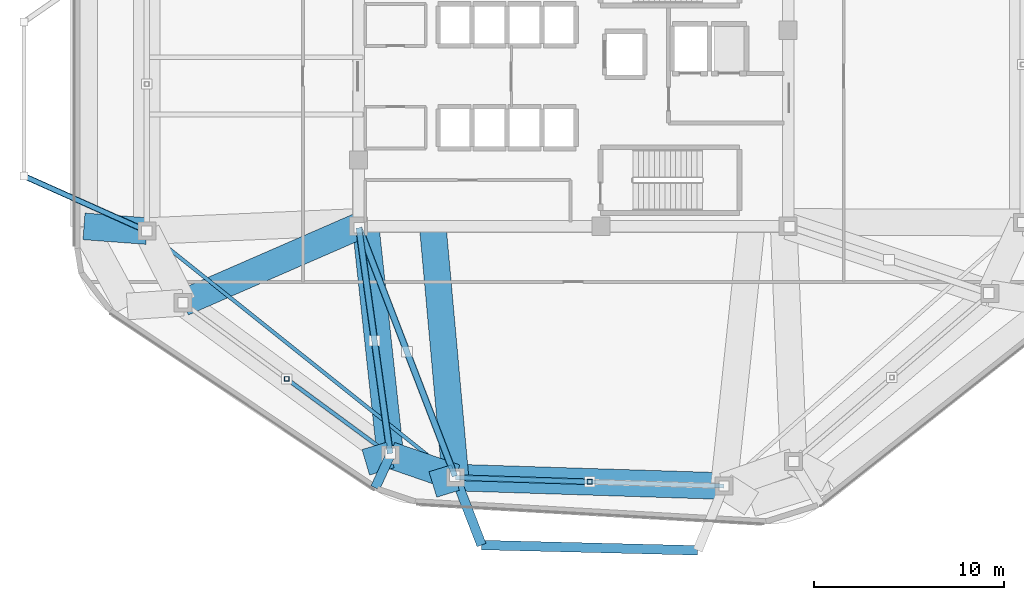
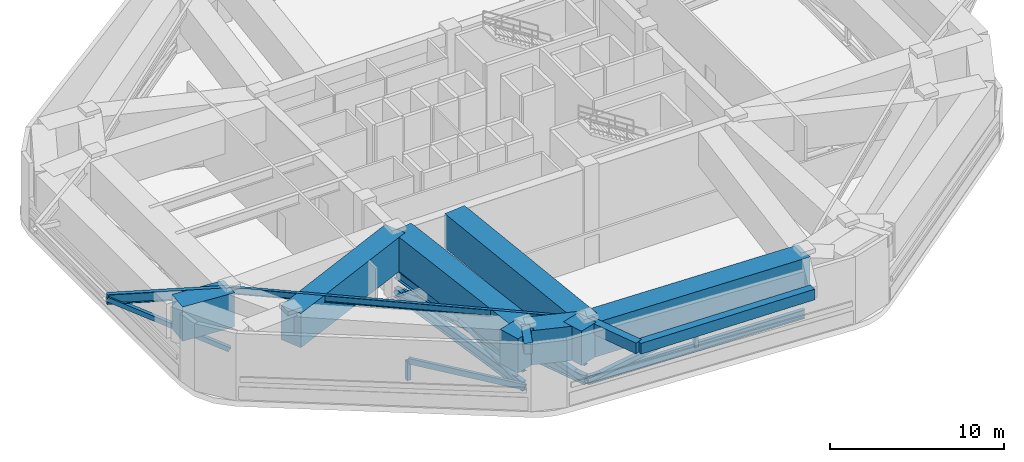
# One storey, part 2 of 13: 14 members, 13 beams.
"""IFC4 building model written with IfcOpenShell, lengths in metres."""

from ifc_helpers import new_model, si_unit, direction, frame, origin, origin_2d, place, context, subcontext, project, spatial, rectangle, hollow_rectangle, hollow_circle, i_section, extrude, material, material_profile, profile_set, type_object, element, save


model = new_model("IFC4")

# Units and contexts
model_context = context("Model", 3, precision=1e-05, world=origin(), true_north=direction((0.0, 1.0)))
body_context = subcontext(model_context, "Body", "Model", "MODEL_VIEW")
ifc_project = project(units=[si_unit("LENGTHUNIT", "METRE"), si_unit("AREAUNIT", "SQUARE_METRE"), si_unit("VOLUMEUNIT", "CUBIC_METRE"), si_unit("PLANEANGLEUNIT", "RADIAN"), si_unit("MASSUNIT", "GRAM", prefix="KILO")], contexts=[model_context])

# Site, building, storey
site_placement = place(None, origin())
site = spatial("IfcSite", under=ifc_project, at=site_placement, CompositionType="ELEMENT")
building_placement = place(site_placement, origin())
building = spatial("IfcBuilding", under=site, at=building_placement, Name="Zulverin Broadcast Headquarters", CompositionType="ELEMENT")
storey_placement = place(building_placement, frame((0.0, 0.0, 220.0)))
storey = spatial("IfcBuildingStorey", under=building, at=storey_placement, Name="L56", CompositionType="ELEMENT", Elevation=220.0)

# Beams
ifc_material_1 = material(Name="Concrete C40/50", Category="concrete")
ifc_material_profile_1 = material_profile(ifc_material_1, rectangle(XDim=0.5, YDim=0.75, at=origin_2d()), Name="Concrete C40/50", Category="concrete")
ifc_profile_set_1 = profile_set([ifc_material_profile_1], Name="Concrete C40/50")
beam_type_1 = type_object("IfcBeamType", Name="BM-RC-500x750", PredefinedType="BEAM", material=ifc_profile_set_1)
beam_1_placement = place(storey_placement, frame((27.38720703125, 5.309814453125, 4.3349609375), z_axis=(-0.417275843889, -0.908779879897, 0.0), x_axis=(0.908779879897, -0.417275843889, 0.0)))
element("IfcBeam", 1, at=beam_1_placement, inside=storey, type_object=beam_type_1, Name="L57 Plate Overhang Back-Spanned Beam OVR-16", PredefinedType="BEAM", context=body_context, shape_type="SweptSolid", body=[
    extrude(rectangle(XDim=0.5, YDim=0.75, at=origin_2d()), origin(), (0.0, 0.0, 1.0), 1.89453125),
])
beam_2_placement = place(storey_placement, frame((30.80859375, 4.12744140625, 4.3349609375), z_axis=(0.360687670045, -0.93268665943, 0.0), x_axis=(0.93268665943, 0.360687670045, 0.0)))
element("IfcBeam", 2, at=beam_2_placement, inside=storey, type_object=beam_type_1, Name="L57 Balcony Column-Framed Cantilever BAL_S-1", PredefinedType="BEAM", context=body_context, shape_type="SweptSolid", body=[
    extrude(rectangle(XDim=0.5, YDim=0.75, at=origin_2d()), origin(), (0.0, 0.0, 1.0), 3.800048828125),
])
beam_3_placement = place(storey_placement, frame((32.17919921875, 0.583251953125, 4.3349609375), z_axis=(0.999697465387, -0.024596294393, 0.0), x_axis=(0.024596294393, 0.999697465387, 0.0)))
element("IfcBeam", 3, at=beam_3_placement, inside=storey, type_object=beam_type_1, Name="L57 Balcony Outer Edge Trimmer Beam BAL_S", PredefinedType="BEAM", context=body_context, shape_type="SweptSolid", body=[
    extrude(rectangle(XDim=0.5, YDim=0.75, at=origin_2d()), origin(), (0.0, 0.0, 1.0), 11.355224609375),
])
ifc_material_2 = material(Name="Concrete C60/75", Category="concrete")
ifc_material_profile_2 = material_profile(ifc_material_2, rectangle(XDim=1.39990234375, YDim=2.39990234375, at=origin_2d()), Name="Concrete C60/75", Category="concrete")
ifc_profile_set_2 = profile_set([ifc_material_profile_2], Name="Concrete C60/75")
beam_type_2 = type_object("IfcBeamType", Name="BM-TG-1400x2400", PredefinedType="USERDEFINED", material=ifc_profile_set_2)
beam_4_placement = place(storey_placement, frame((30.80859375, 4.12744140625, 3.510009765625), z_axis=(0.999497363437, -0.031702058031, 0.0), x_axis=(0.031702058031, 0.999497363437, 0.0)))
element("IfcBeam", 4, at=beam_4_placement, inside=storey, type_object=beam_type_2, Name="L56 Perimeter Transfer Ring Girder SP-01", ObjectType="TRANSFER GIRDER", PredefinedType="USERDEFINED", context=body_context, shape_type="SweptSolid", body=[
    extrude(rectangle(XDim=1.39990234375, YDim=2.39990234375, at=origin_2d()), origin(), (0.0, 0.0, 1.0), 14.1083984375),
])
beam_5_placement = place(storey_placement, frame((27.38720703125, 5.309814453125, 3.510009765625), z_axis=(0.945152732867, -0.326628705956, 0.0), x_axis=(0.326628705956, 0.945152732867, 0.0)))
element("IfcBeam", 5, at=beam_5_placement, inside=storey, type_object=beam_type_2, Name="L56 Perimeter Transfer Ring Girder SP-16", ObjectType="TRANSFER GIRDER", PredefinedType="USERDEFINED", context=body_context, shape_type="SweptSolid", body=[
    extrude(rectangle(XDim=1.39990234375, YDim=2.39990234375, at=origin_2d()), origin(), (0.0, 0.0, 1.0), 3.619873046875),
])
beam_6_placement = place(storey_placement, frame((29.6220703125, 17.27490234375, 3.510009765625), z_axis=(0.089882060875, -0.995952416099, 0.0), x_axis=(0.995952416099, 0.089882060875, 0.0)))
element("IfcBeam", 6, at=beam_6_placement, inside=storey, type_object=beam_type_2, Name="L57 Inner Transfer Back-Span Girder TGI-01", ObjectType="TRANSFER GIRDER", PredefinedType="USERDEFINED", context=body_context, shape_type="SweptSolid", body=[
    extrude(rectangle(XDim=1.39990234375, YDim=2.39990234375, at=origin_2d()), origin(), (0.0, 0.0, 1.0), 13.200927734375),
])
beam_7_placement = place(storey_placement, frame((30.80859375, 4.12744140625, 3.510009765625), z_axis=(-0.956076262562, -0.293118031115, 0.0), x_axis=(0.293118031115, -0.956076262562, 0.0)))
element("IfcBeam", 7, at=beam_7_placement, inside=storey, type_object=beam_type_2, Name="L57 Column-Framed Step Cantilever Girder TGO-01", ObjectType="TRANSFER GIRDER", PredefinedType="USERDEFINED", context=body_context, shape_type="SweptSolid", body=[
    extrude(rectangle(XDim=1.39990234375, YDim=2.39990234375, at=origin_2d()), origin(), (0.0, 0.0, 1.0), 1.240966796875),
])
beam_8_placement = place(storey_placement, frame((14.60009765625, 17.072021484375, 3.510009765625), z_axis=(-0.997220042214, 0.074513001601, 0.0), x_axis=(-0.074513001601, -0.997220042214, 0.0)))
element("IfcBeam", 8, at=beam_8_placement, inside=storey, type_object=beam_type_2, Name="L57 Column-Framed Step Cantilever Girder TGO-14", ObjectType="TRANSFER GIRDER", PredefinedType="USERDEFINED", context=body_context, shape_type="SweptSolid", body=[
    extrude(rectangle(XDim=1.39990234375, YDim=2.39990234375, at=origin_2d()), origin(), (0.0, 0.0, 1.0), 3.309326171875),
])
beam_9_placement = place(storey_placement, frame((25.72509765625, 17.324951171875, 3.510009765625), z_axis=(-0.916724690104, -0.39951951461, 0.0), x_axis=(0.39951951461, -0.916724690104, 0.0)))
element("IfcBeam", 9, at=beam_9_placement, inside=storey, type_object=beam_type_2, Name="L57 Inner Transfer Back-Span Girder TGI-15", ObjectType="TRANSFER GIRDER", PredefinedType="USERDEFINED", context=body_context, shape_type="SweptSolid", body=[
    extrude(rectangle(XDim=1.39990234375, YDim=2.39990234375, at=origin_2d()), origin(), (0.0, 0.0, 1.0), 10.05712890625),
])
beam_10_placement = place(storey_placement, frame((26.098876953125, 17.27490234375, 3.510009765625), z_axis=(0.107055304858, -0.994253067233, 0.0), x_axis=(0.994253067233, 0.107055304858, 0.0)))
element("IfcBeam", 10, at=beam_10_placement, inside=storey, type_object=beam_type_2, Name="L57 Inner Transfer Back-Span Girder TGI-16", ObjectType="TRANSFER GIRDER", PredefinedType="USERDEFINED", context=body_context, shape_type="SweptSolid", body=[
    extrude(rectangle(XDim=1.39990234375, YDim=2.39990234375, at=origin_2d()), origin(), (0.0, 0.0, 1.0), 12.0341796875),
])
beam_11_placement = place(storey_placement, frame((27.38720703125, 5.309814453125, 3.510009765625), z_axis=(-0.958924509712, -0.283661390877, 0.0), x_axis=(0.283661390877, -0.958924509712, 0.0)))
element("IfcBeam", 11, at=beam_11_placement, inside=storey, type_object=beam_type_2, Name="L57 Column-Framed Step Cantilever Girder TGO-16", ObjectType="TRANSFER GIRDER", PredefinedType="USERDEFINED", context=body_context, shape_type="SweptSolid", body=[
    extrude(rectangle(XDim=1.39990234375, YDim=2.39990234375, at=origin_2d()), origin(), (0.0, 0.0, 1.0), 1.343505859375),
])
ifc_material_3 = material(Name="Structural steel S355JR", Category="steel")
ifc_material_profile_3 = material_profile(ifc_material_3, i_section(OverallWidth=0.19287109375, OverallDepth=0.46728515625, WebThickness=0.011474609375, FlangeThickness=0.01953125, at=origin_2d()), Name="Structural steel S355JR", Category="steel")
ifc_profile_set_3 = profile_set([ifc_material_profile_3], Name="Structural steel S355JR")
beam_type_3 = type_object("IfcBeamType", Name="BM-UB-457", PredefinedType="JOIST", material=ifc_profile_set_3)
beam_12_placement = place(storey_placement, frame((14.60009765625, 17.072021484375, 4.476318359375), z_axis=(0.781390996609, -0.624041753746, 0.0), x_axis=(0.624041753746, 0.781390996609, 0.0)))
element("IfcBeam", 12, at=beam_12_placement, inside=storey, type_object=beam_type_3, Name="L56 Chordal Floor Joist J-04", PredefinedType="JOIST", context=body_context, shape_type="SweptSolid", body=[
    extrude(i_section(OverallWidth=0.19287109375, OverallDepth=0.46728515625, WebThickness=0.011474609375, FlangeThickness=0.01953125, at=origin_2d()), origin(), (0.0, 0.0, 1.0), 20.7431640625),
])
ifc_material_profile_4 = material_profile(ifc_material_3, i_section(OverallWidth=0.255859375, OverallDepth=0.69287109375, WebThickness=0.014404296875, FlangeThickness=0.023681640625, at=origin_2d()), Name="Structural steel S355JR", Category="steel")
ifc_profile_set_4 = profile_set([ifc_material_profile_4], Name="Structural steel S355JR")
beam_type_4 = type_object("IfcBeamType", Name="BM-UB-686", PredefinedType="BEAM", material=ifc_profile_set_4)
beam_13_placement = place(storey_placement, frame((14.60009765625, 17.072021484375, 4.363525390625), z_axis=(-0.912695536845, 0.408640253798, 0.0), x_axis=(-0.408640253798, -0.912695536845, 0.0)))
element("IfcBeam", 13, at=beam_13_placement, inside=storey, type_object=beam_type_4, Name="L57 Studio Box Base Cantilever Girder SBOX_SKY2_W-1", PredefinedType="BEAM", context=body_context, shape_type="SweptSolid", body=[
    extrude(i_section(OverallWidth=0.255859375, OverallDepth=0.69287109375, WebThickness=0.014404296875, FlangeThickness=0.023681640625, at=origin_2d()), origin(), (0.0, 0.0, 1.0), 7.067138671875),
])

# Members
ifc_material_profile_5 = material_profile(ifc_material_3, i_section(OverallWidth=0.230224609375, OverallDepth=0.6171875, WebThickness=0.01318359375, FlangeThickness=0.022216796875, at=origin_2d()), Name="Structural steel S355JR", Category="steel")
ifc_profile_set_5 = profile_set([ifc_material_profile_5], Name="Structural steel S355JR")
member_type_1 = type_object("IfcMemberType", Name="MBR-BLT-CHORD", PredefinedType="CHORD", material=ifc_profile_set_5)
member_1_placement = place(storey_placement, frame((30.80859375, 4.12744140625, 0.35009765625), z_axis=(0.999497363437, -0.031702058031, 0.0), x_axis=(0.031702058031, 0.999497363437, 0.0)))
element("IfcMember", 14, at=member_1_placement, inside=storey, type_object=member_type_1, Name="L56 Belt Truss Bottom Chord BC-01", PredefinedType="CHORD", context=body_context, shape_type="SweptSolid", body=[
    extrude(i_section(OverallWidth=0.230224609375, OverallDepth=0.6171875, WebThickness=0.01318359375, FlangeThickness=0.022216796875, at=origin_2d()), origin(), (0.0, 0.0, 1.0), 14.1083984375),
])
ifc_material_profile_6 = material_profile(ifc_material_3, hollow_rectangle(XDim=0.300048828125, YDim=0.300048828125, WallThickness=0.01611328125, at=origin_2d()), Name="Structural steel S355JR", Category="steel")
ifc_profile_set_6 = profile_set([ifc_material_profile_6], Name="Structural steel S355JR")
member_type_2 = type_object("IfcMemberType", Name="MBR-BLT-DIAG1", PredefinedType="BRACE", material=ifc_profile_set_6)
member_2_placement = place(storey_placement, frame((14.60009765625, 17.072021484375, 0.35009765625), z_axis=(-0.791406369647, 0.354335577084, 0.498118717671), x_axis=(-0.408640253798, -0.912695536845, 0.0)))
element("IfcMember", 15, at=member_2_placement, inside=storey, type_object=member_type_2, Name="L57 Studio Box Base Knee Brace SBOX_SKY2_W-1", PredefinedType="BRACE", context=body_context, shape_type="SweptSolid", body=[
    extrude(hollow_rectangle(XDim=0.300048828125, YDim=0.300048828125, WallThickness=0.01611328125, at=origin_2d()), origin(), (0.0, 0.0, 1.0), 8.150390625),
])
member_3_placement = place(storey_placement, frame((30.80859375, 4.12744140625, 0.35009765625), z_axis=(0.982196243792, -0.031153840483, 0.185256516498), x_axis=(0.031702606357, 0.999497346045, 0.0)))
element("IfcMember", 16, at=member_3_placement, inside=storey, type_object=member_type_2, Name="L56 Belt Truss Diagonal Brace BD-01A", PredefinedType="BRACE", context=body_context, shape_type="SweptSolid", body=[
    extrude(hollow_rectangle(XDim=0.300048828125, YDim=0.300048828125, WallThickness=0.01611328125, at=origin_2d()), origin(), (0.0, 0.0, 1.0), 7.17822265625),
])
ifc_material_profile_7 = material_profile(ifc_material_3, hollow_rectangle(XDim=0.199951171875, YDim=0.39990234375, WallThickness=0.01611328125, at=origin_2d()), Name="Structural steel S355JR", Category="steel")
ifc_profile_set_7 = profile_set([ifc_material_profile_7], Name="Structural steel S355JR")
member_type_3 = type_object("IfcMemberType", Name="MBR-BLT-DIAG2", PredefinedType="BRACE", material=ifc_profile_set_7)
member_4_placement = place(storey_placement, frame((27.38720703125, 5.309814453125, 0.35009765625), z_axis=(-0.79059828088, 0.581046811565, 0.19323291914), x_axis=(-0.592208211161, -0.805784980397, 0.0)))
element("IfcMember", 17, at=member_4_placement, inside=storey, type_object=member_type_3, Name="L56 Belt Truss Diagonal Brace BD-08B", PredefinedType="BRACE", context=body_context, shape_type="SweptSolid", body=[
    extrude(hollow_rectangle(XDim=0.199951171875, YDim=0.39990234375, WallThickness=0.01611328125, at=origin_2d()), origin(), (0.0, 0.0, 1.0), 6.882080078125),
])
ifc_material_profile_8 = material_profile(ifc_material_3, hollow_rectangle(XDim=0.25, YDim=0.25, WallThickness=0.01611328125, at=origin_2d()), Name="Structural steel S355JR", Category="steel")
ifc_profile_set_8 = profile_set([ifc_material_profile_8], Name="Structural steel S355JR")
member_type_4 = type_object("IfcMemberType", Name="MBR-BLT-POST", PredefinedType="POST", material=ifc_profile_set_8)
for number, where, z_axis, x_axis, name in (
    (18, (37.859130859375, 3.90380859375, 0.35009765625), (0.0, 0.0, 1.0), (1.0, 0.0, 0.0), "L56 Belt Truss King Post BP-01"),
    (19, (21.9462890625, 9.30859375, 0.35009765625), (0.0, 0.0, 1.0), (1.0, 0.0, 0.0), "L56 Belt Truss King Post BP-08"),
):
    element("IfcMember", number, at=place(storey_placement, frame(where, z_axis=z_axis, x_axis=x_axis)), inside=storey, type_object=member_type_4, Name=name, PredefinedType="POST", context=body_context, shape_type="SweptSolid", body=[
        extrude(hollow_rectangle(XDim=0.25, YDim=0.25, WallThickness=0.01611328125, at=origin_2d()), origin(), (0.0, 0.0, 1.0), 1.329833984375),
    ])
ifc_material_4 = material(Name="Structural steel S460M", Category="steel")
ifc_material_profile_9 = material_profile(ifc_material_4, i_section(OverallWidth=0.300048828125, OverallDepth=0.64990234375, WebThickness=0.01611328125, FlangeThickness=0.031005859375, at=origin_2d()), Name="Structural steel S460M", Category="steel")
ifc_profile_set_9 = profile_set([ifc_material_profile_9], Name="Structural steel S460M")
member_type_5 = type_object("IfcMemberType", Name="MBR-OUT-CHORD", PredefinedType="CHORD", material=ifc_profile_set_9)
for number, where, z_axis, x_axis, name in (
    (20, (25.75390625, 17.250244140625, 0.35009765625), (0.359438855077, -0.933168639347, 0.0), (0.933168639347, 0.359438855077, 0.0), "L56 Outrigger Truss Bottom Chord OC-01"),
    (21, (25.75390625, 17.250244140625, 1.679931640625), (0.359438855077, -0.933168639347, 0.0), (0.933168639347, 0.359438855077, 0.0), "L56 Outrigger Truss Upper Chord OTC-01"),
):
    element("IfcMember", number, at=place(storey_placement, frame(where, z_axis=z_axis, x_axis=x_axis)), inside=storey, type_object=member_type_5, Name=name, PredefinedType="CHORD", context=body_context, shape_type="SweptSolid", body=[
        extrude(i_section(OverallWidth=0.300048828125, OverallDepth=0.64990234375, WebThickness=0.01611328125, FlangeThickness=0.031005859375, at=origin_2d()), origin(), (0.0, 0.0, 1.0), 13.982666015625),
    ])
for number, where, z_axis, x_axis, name in (
    (22, (25.736083984375, 17.245849609375, 0.35009765625), (0.137025281675, -0.99056755054, 0.0), (0.99056755054, 0.137025281675, 0.0), "L56 Outrigger Truss Bottom Chord OC-06"),
    (23, (25.736083984375, 17.245849609375, 1.679931640625), (0.137025281675, -0.99056755054, 0.0), (0.99056755054, 0.137025281675, 0.0), "L56 Outrigger Truss Upper Chord OTC-06"),
):
    element("IfcMember", number, at=place(storey_placement, frame(where, z_axis=z_axis, x_axis=x_axis)), inside=storey, type_object=member_type_5, Name=name, PredefinedType="CHORD", context=body_context, shape_type="SweptSolid", body=[
        extrude(i_section(OverallWidth=0.300048828125, OverallDepth=0.64990234375, WebThickness=0.01611328125, FlangeThickness=0.031005859375, at=origin_2d()), origin(), (0.0, 0.0, 1.0), 11.969482421875),
    ])
ifc_material_profile_10 = material_profile(ifc_material_4, hollow_rectangle(XDim=0.35009765625, YDim=0.35009765625, WallThickness=0.02001953125, at=origin_2d()), Name="Structural steel S460M", Category="steel")
ifc_profile_set_10 = profile_set([ifc_material_profile_10], Name="Structural steel S460M")
member_type_6 = type_object("IfcMemberType", Name="MBR-OUT-DIAG1", PredefinedType="BRACE", material=ifc_profile_set_10)
member_5_placement = place(storey_placement, frame((25.75390625, 17.250244140625, 0.35009765625), z_axis=(0.353113266308, -0.916729107382, 0.186865633108), x_axis=(0.933166383479, 0.359444711666, 0.0)))
element("IfcMember", 24, at=member_5_placement, inside=storey, type_object=member_type_6, Name="L56 Outrigger Truss Diagonal Brace OD-01A", PredefinedType="BRACE", context=body_context, shape_type="SweptSolid", body=[
    extrude(hollow_rectangle(XDim=0.35009765625, YDim=0.35009765625, WallThickness=0.02001953125, at=origin_2d()), origin(), (0.0, 0.0, 1.0), 7.116455078125),
])
member_6_placement = place(storey_placement, frame((30.77978515625, 4.2021484375, 0.35009765625), z_axis=(-0.353102161405, 0.916734582651, 0.186859756453), x_axis=(-0.933170895105, -0.359432998665, 0.0)))
element("IfcMember", 25, at=member_6_placement, inside=storey, type_object=member_type_6, Name="L56 Outrigger Truss Diagonal Brace OD-01B", PredefinedType="BRACE", context=body_context, shape_type="SweptSolid", body=[
    extrude(hollow_rectangle(XDim=0.35009765625, YDim=0.35009765625, WallThickness=0.02001953125, at=origin_2d()), origin(), (0.0, 0.0, 1.0), 7.11669921875),
])
ifc_material_profile_11 = material_profile(ifc_material_4, hollow_circle(Radius=0.177734375, WallThickness=0.01611328125, at=origin_2d()), Name="Structural steel S460M", Category="steel")
ifc_profile_set_11 = profile_set([ifc_material_profile_11], Name="Structural steel S460M")
member_type_7 = type_object("IfcMemberType", Name="MBR-OUT-DIAG2", PredefinedType="BRACE", material=ifc_profile_set_11)
member_7_placement = place(storey_placement, frame((25.736083984375, 17.245849609375, 0.35009765625), z_axis=(0.133760302686, -0.966984647253, 0.216907522694), x_axis=(0.990567933496, 0.137022513224, 0.0)))
element("IfcMember", 26, at=member_7_placement, inside=storey, type_object=member_type_7, Name="L56 Outrigger Truss Diagonal Brace OD-06A", PredefinedType="BRACE", context=body_context, shape_type="SweptSolid", body=[
    extrude(hollow_circle(Radius=0.177734375, WallThickness=0.01611328125, at=origin_2d()), origin(), (0.0, 0.0, 1.0), 6.130859375),
])
member_8_placement = place(storey_placement, frame((27.376220703125, 5.38916015625, 0.35009765625), z_axis=(-0.133765453551, 0.966982061071, 0.216915875408), x_axis=(-0.99056716756, -0.137028050236, 0.0)))
element("IfcMember", 27, at=member_8_placement, inside=storey, type_object=member_type_7, Name="L56 Outrigger Truss Diagonal Brace OD-06B", PredefinedType="BRACE", context=body_context, shape_type="SweptSolid", body=[
    extrude(hollow_circle(Radius=0.177734375, WallThickness=0.01611328125, at=origin_2d()), origin(), (0.0, 0.0, 1.0), 6.130615234375),
])

save(model, "model.ifc")
